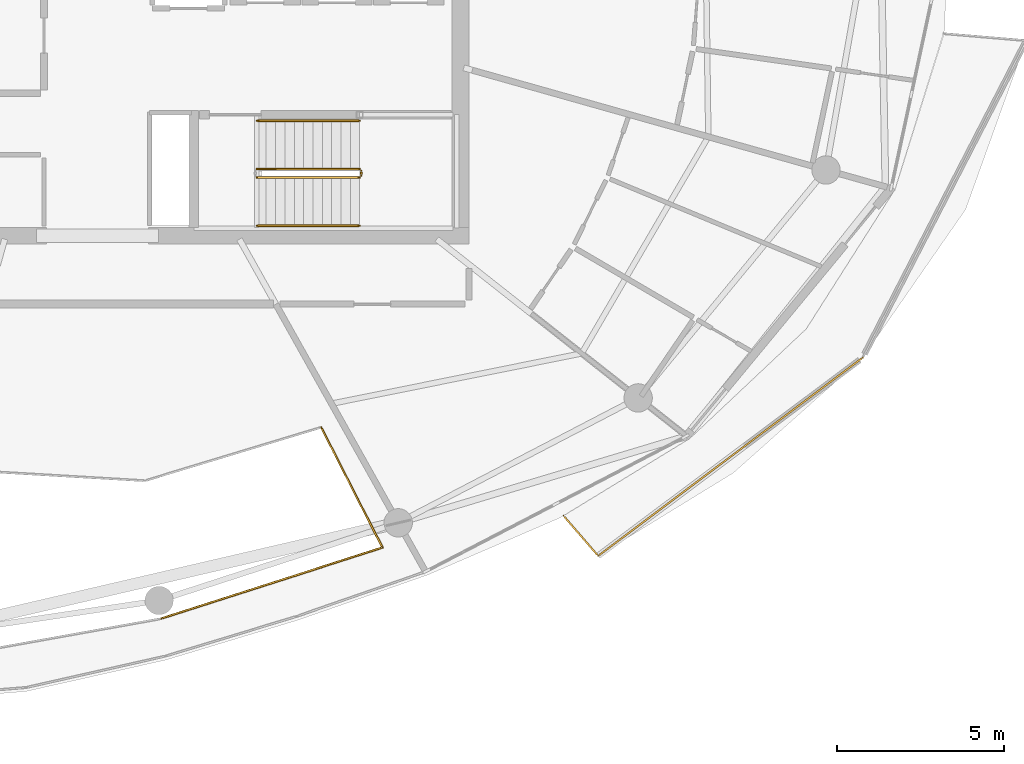
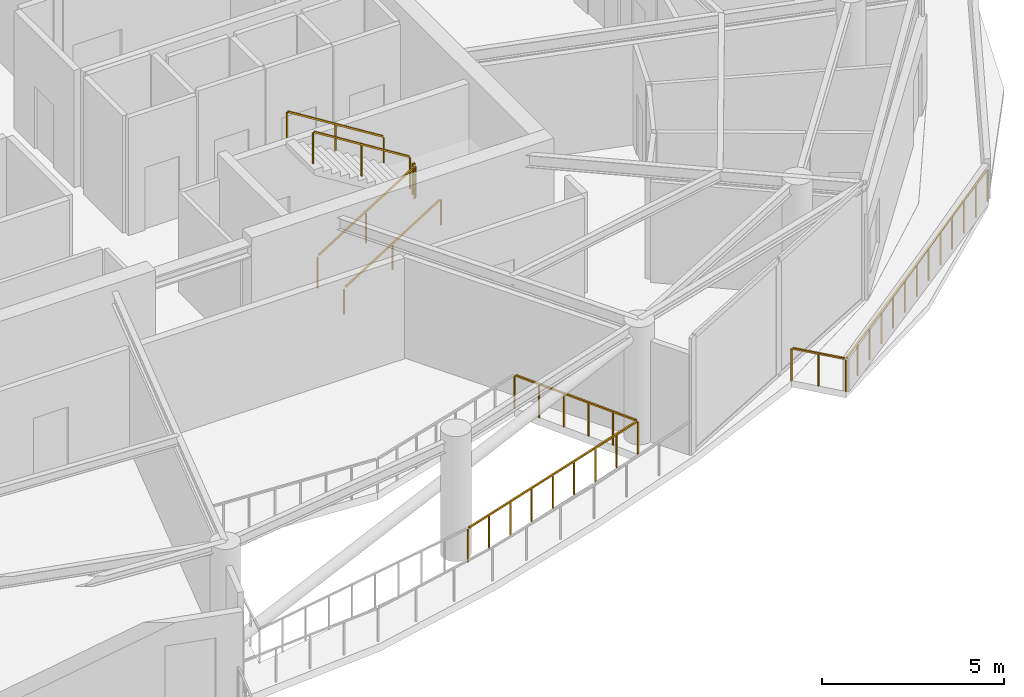
# One storey, part 20 of 22: 9 railings.
"""IFC4 building model written with IfcOpenShell, lengths in metres."""

from ifc_helpers import new_model, si_unit, direction, frame, origin, origin_2d, place, context, subcontext, project, spatial, rectangle, extrude, material, type_object, element, save


model = new_model("IFC4")

# Units and contexts
model_context = context("Model", 3, precision=1e-05, world=origin(), true_north=direction((0.0, 1.0)))
body_context = subcontext(model_context, "Body", "Model", "MODEL_VIEW")
ifc_project = project(units=[si_unit("LENGTHUNIT", "METRE"), si_unit("AREAUNIT", "SQUARE_METRE"), si_unit("VOLUMEUNIT", "CUBIC_METRE"), si_unit("PLANEANGLEUNIT", "RADIAN"), si_unit("MASSUNIT", "GRAM", prefix="KILO")], contexts=[model_context])

# Site, building, storey
site_placement = place(None, origin())
site = spatial("IfcSite", under=ifc_project, at=site_placement, CompositionType="ELEMENT")
building_placement = place(site_placement, origin())
building = spatial("IfcBuilding", under=site, at=building_placement, Name="Kazma Halo Residences", CompositionType="ELEMENT")
storey_placement = place(building_placement, frame((0.0, 0.0, 334.699951171875)))
storey = spatial("IfcBuildingStorey", under=building, at=storey_placement, Name="L84", CompositionType="ELEMENT", Elevation=334.699951171875)

# Railings
ifc_material_1 = material(Name="Aluminium AW-6063 T6 Brushed Cap Rail", Category="aluminium")
railing_type_1 = type_object("IfcRailingType", Name="RLG-BAL-CAP-1120", PredefinedType="BALUSTRADE", material=ifc_material_1)
railing_1_placement = place(storey_placement, frame((62.38818359375, 25.360595703125, 0.0)))
element("IfcRailing", 1, at=railing_1_placement, inside=storey, type_object=railing_type_1, Name="L84 SE wave balcony guard 1", PredefinedType="BALUSTRADE", context=body_context, shape_type="SweptSolid", body=[
    extrude(rectangle(XDim=0.050048828125, YDim=0.050048828125, at=origin_2d()), frame((0.02783203125, -0.0322265625, 1.09521484375), z_axis=(0.653987942312, -0.756504971107, 0.0), x_axis=(0.756504971107, 0.653987942312, 0.0)), (0.0, 0.0, 1.0), 1.50341796875),
    extrude(rectangle(XDim=0.0400390625, YDim=0.0400390625, at=origin_2d()), origin(), (0.0, 0.0, 1.0), 1.05810546875),
    extrude(rectangle(XDim=0.0400390625, YDim=0.0400390625, at=origin_2d()), frame((0.51953125, -0.600830078125, 0.0)), (0.0, 0.0, 1.0), 1.05810546875),
    extrude(rectangle(XDim=0.0400390625, YDim=0.0400390625, at=origin_2d()), frame((1.038818359375, -1.20166015625, 0.0)), (0.0, 0.0, 1.0), 1.05810546875),
])
railing_2_placement = place(storey_placement, frame((63.427001953125, 24.158935546875, 0.0)))
element("IfcRailing", 2, at=railing_2_placement, inside=storey, type_object=railing_type_1, Name="L84 SE wave balcony guard 2", PredefinedType="BALUSTRADE", context=body_context, shape_type="SweptSolid", body=[
    extrude(rectangle(XDim=0.050048828125, YDim=0.050048828125, at=origin_2d()), frame((0.033935546875, 0.025390625, 1.09521484375), z_axis=(0.800342873364, 0.599542563172, 0.0), x_axis=(-0.599542563172, 0.800342873364, 0.0)), (0.0, 0.0, 1.0), 9.82275390625),
    extrude(rectangle(XDim=0.0400390625, YDim=0.0400390625, at=origin_2d()), origin(), (0.0, 0.0, 1.0), 1.05810546875),
    extrude(rectangle(XDim=0.0400390625, YDim=0.0400390625, at=origin_2d()), frame((0.660888671875, 0.4951171875, 0.0)), (0.0, 0.0, 1.0), 1.05810546875),
    extrude(rectangle(XDim=0.0400390625, YDim=0.0400390625, at=origin_2d()), frame((1.321533203125, 0.989990234375, 0.0)), (0.0, 0.0, 1.0), 1.05810546875),
    extrude(rectangle(XDim=0.0400390625, YDim=0.0400390625, at=origin_2d()), frame((1.982421875, 1.485107421875, 0.0)), (0.0, 0.0, 1.0), 1.05810546875),
    extrude(rectangle(XDim=0.0400390625, YDim=0.0400390625, at=origin_2d()), frame((2.643310546875, 1.97998046875, 0.0)), (0.0, 0.0, 1.0), 1.05810546875),
    extrude(rectangle(XDim=0.0400390625, YDim=0.0400390625, at=origin_2d()), frame((3.303955078125, 2.47509765625, 0.0)), (0.0, 0.0, 1.0), 1.05810546875),
    extrude(rectangle(XDim=0.0400390625, YDim=0.0400390625, at=origin_2d()), frame((3.96484375, 2.97021484375, 0.0)), (0.0, 0.0, 1.0), 1.05810546875),
    extrude(rectangle(XDim=0.0400390625, YDim=0.0400390625, at=origin_2d()), frame((4.625732421875, 3.465087890625, 0.0)), (0.0, 0.0, 1.0), 1.05810546875),
    extrude(rectangle(XDim=0.0400390625, YDim=0.0400390625, at=origin_2d()), frame((5.286376953125, 3.960205078125, 0.0)), (0.0, 0.0, 1.0), 1.05810546875),
    extrude(rectangle(XDim=0.0400390625, YDim=0.0400390625, at=origin_2d()), frame((5.947265625, 4.455078125, 0.0)), (0.0, 0.0, 1.0), 1.05810546875),
    extrude(rectangle(XDim=0.0400390625, YDim=0.0400390625, at=origin_2d()), frame((6.608154296875, 4.9501953125, 0.0)), (0.0, 0.0, 1.0), 1.05810546875),
    extrude(rectangle(XDim=0.0400390625, YDim=0.0400390625, at=origin_2d()), frame((7.268798828125, 5.445068359375, 0.0)), (0.0, 0.0, 1.0), 1.05810546875),
    extrude(rectangle(XDim=0.0400390625, YDim=0.0400390625, at=origin_2d()), frame((7.9296875, 5.940185546875, 0.0)), (0.0, 0.0, 1.0), 1.05810546875),
])
ifc_material_2 = material(Name="Brushed Stainless Steel and Laminated Glass", Category="steel")
railing_type_2 = type_object("IfcRailingType", Name="RLG-EXT-GUARD-1150", PredefinedType="GUARDRAIL", material=ifc_material_2)
railing_3_placement = place(storey_placement, frame((55.127685546875, 28.01123046875, 0.0)))
element("IfcRailing", 3, at=railing_3_placement, inside=storey, type_object=railing_type_2, Name="L84 upper wind-portal edge guard 2.3", PredefinedType="GUARDRAIL", context=body_context, shape_type="SweptSolid", body=[
    extrude(rectangle(XDim=0.050048828125, YDim=0.050048828125, at=origin_2d()), frame((0.019287109375, -0.037841796875, 1.125), z_axis=(0.453986372723, -0.891008626996, 0.0), x_axis=(0.891008626996, 0.453986372723, 0.0)), (0.0, 0.0, 1.0), 3.958984375),
    extrude(rectangle(XDim=0.0400390625, YDim=0.0400390625, at=origin_2d()), origin(), (0.0, 0.0, 1.0), 1.087890625),
    extrude(rectangle(XDim=0.0400390625, YDim=0.0400390625, at=origin_2d()), frame((0.3671875, -0.720703125, 0.0)), (0.0, 0.0, 1.0), 1.087890625),
    extrude(rectangle(XDim=0.0400390625, YDim=0.0400390625, at=origin_2d()), frame((0.734375, -1.44140625, 0.0)), (0.0, 0.0, 1.0), 1.087890625),
    extrude(rectangle(XDim=0.0400390625, YDim=0.0400390625, at=origin_2d()), frame((1.1015625, -2.161865234375, 0.0)), (0.0, 0.0, 1.0), 1.087890625),
    extrude(rectangle(XDim=0.0400390625, YDim=0.0400390625, at=origin_2d()), frame((1.46875, -2.882568359375, 0.0)), (0.0, 0.0, 1.0), 1.087890625),
    extrude(rectangle(XDim=0.0400390625, YDim=0.0400390625, at=origin_2d()), frame((1.8359375, -3.603271484375, 0.0)), (0.0, 0.0, 1.0), 1.087890625),
])
railing_4_placement = place(storey_placement, frame((56.963623046875, 24.407958984375, 0.0)))
element("IfcRailing", 4, at=railing_4_placement, inside=storey, type_object=railing_type_2, Name="L84 upper wind-portal edge guard 2.4", PredefinedType="GUARDRAIL", context=body_context, shape_type="SweptSolid", body=[
    extrude(rectangle(XDim=0.050048828125, YDim=0.050048828125, at=origin_2d()), frame((-0.04052734375, -0.012939453125, 1.125), z_axis=(-0.952165276882, -0.305583516407, 0.0), x_axis=(0.305583516407, -0.952165276882, 0.0)), (0.0, 0.0, 1.0), 6.877685546875),
    extrude(rectangle(XDim=0.0400390625, YDim=0.0400390625, at=origin_2d()), origin(), (0.0, 0.0, 1.0), 1.087890625),
    extrude(rectangle(XDim=0.0400390625, YDim=0.0400390625, at=origin_2d()), frame((-0.82861328125, -0.265869140625, 0.0)), (0.0, 0.0, 1.0), 1.087890625),
    extrude(rectangle(XDim=0.0400390625, YDim=0.0400390625, at=origin_2d()), frame((-1.657470703125, -0.531982421875, 0.0)), (0.0, 0.0, 1.0), 1.087890625),
    extrude(rectangle(XDim=0.0400390625, YDim=0.0400390625, at=origin_2d()), frame((-2.486083984375, -0.7978515625, 0.0)), (0.0, 0.0, 1.0), 1.087890625),
    extrude(rectangle(XDim=0.0400390625, YDim=0.0400390625, at=origin_2d()), frame((-3.31494140625, -1.06396484375, 0.0)), (0.0, 0.0, 1.0), 1.087890625),
    extrude(rectangle(XDim=0.0400390625, YDim=0.0400390625, at=origin_2d()), frame((-4.1435546875, -1.329833984375, 0.0)), (0.0, 0.0, 1.0), 1.087890625),
    extrude(rectangle(XDim=0.0400390625, YDim=0.0400390625, at=origin_2d()), frame((-4.97216796875, -1.595703125, 0.0)), (0.0, 0.0, 1.0), 1.087890625),
    extrude(rectangle(XDim=0.0400390625, YDim=0.0400390625, at=origin_2d()), frame((-5.801025390625, -1.86181640625, 0.0)), (0.0, 0.0, 1.0), 1.087890625),
    extrude(rectangle(XDim=0.0400390625, YDim=0.0400390625, at=origin_2d()), frame((-6.629638671875, -2.127685546875, 0.0)), (0.0, 0.0, 1.0), 1.087890625),
])
ifc_material_3 = material(Name="Painted Steel S355", Category="steel")
railing_type_3 = type_object("IfcRailingType", Name="RLG-STAIR-GRD-1100", PredefinedType="GUARDRAIL", material=ifc_material_3)
railing_5_placement = place(storey_placement, frame((53.199951171875, 35.5, 0.175048828125)))
element("IfcRailing", 5, at=railing_5_placement, inside=storey, type_object=railing_type_3, Name="L84 ST-03 stair guard 1", PredefinedType="GUARDRAIL", context=body_context, shape_type="SweptSolid", body=[
    extrude(rectangle(XDim=0.050048828125, YDim=0.050048828125, at=origin_2d()), frame((0.0361328125, 0.0, 1.09765625), z_axis=(0.847998304005, 0.0, 0.529998940003), x_axis=(0.0, 1.0, 0.0)), (0.0, 0.0, 1.0), 3.547119140625),
    extrude(rectangle(XDim=0.0400390625, YDim=0.0400390625, at=origin_2d()), origin(), (0.0, 0.0, 1.0), 1.0380859375),
    extrude(rectangle(XDim=0.0400390625, YDim=0.0400390625, at=origin_2d()), frame((1.5400390625, 0.0, 0.96240234375)), (0.0, 0.0, 1.0), 1.0380859375),
    extrude(rectangle(XDim=0.0400390625, YDim=0.0400390625, at=origin_2d()), frame((3.080078125, 0.0, 1.925048828125)), (0.0, 0.0, 1.0), 1.0380859375),
])
railing_6_placement = place(storey_placement, frame((56.330078125, 35.550048828125, 2.10009765625)))
element("IfcRailing", 6, at=railing_6_placement, inside=storey, type_object=railing_type_3, Name="L84 ST-03 stair guard 2", PredefinedType="GUARDRAIL", context=body_context, shape_type="SweptSolid", body=[
    extrude(rectangle(XDim=0.050048828125, YDim=0.050048828125, at=origin_2d()), frame((0.0, 0.04248046875, 1.0751953125), z_axis=(0.0, 1.0, 0.0), x_axis=(-1.0, 0.0, 0.0)), (0.0, 0.0, 1.0), 0.06494140625),
    extrude(rectangle(XDim=0.0400390625, YDim=0.0400390625, at=origin_2d()), origin(), (0.0, 0.0, 1.0), 1.0380859375),
    extrude(rectangle(XDim=0.0400390625, YDim=0.0400390625, at=origin_2d()), frame((0.0, 0.14990234375, 0.0)), (0.0, 0.0, 1.0), 1.0380859375),
])
railing_7_placement = place(storey_placement, frame((56.280029296875, 35.75, 2.275146484375)))
element("IfcRailing", 7, at=railing_7_placement, inside=storey, type_object=railing_type_3, Name="L84 ST-03 stair guard 3", PredefinedType="GUARDRAIL", context=body_context, shape_type="SweptSolid", body=[
    extrude(rectangle(XDim=0.050048828125, YDim=0.050048828125, at=origin_2d()), frame((-0.0361328125, 0.0, 1.09765625), z_axis=(-0.848028513186, 0.0, 0.529950602248), x_axis=(0.0, -1.0, 0.0)), (0.0, 0.0, 1.0), 3.546875),
    extrude(rectangle(XDim=0.0400390625, YDim=0.0400390625, at=origin_2d()), origin(), (0.0, 0.0, 1.0), 1.0380859375),
    extrude(rectangle(XDim=0.0400390625, YDim=0.0400390625, at=origin_2d()), frame((-1.5400390625, 0.0, 0.96240234375)), (0.0, 0.0, 1.0), 1.0380859375),
    extrude(rectangle(XDim=0.0400390625, YDim=0.0400390625, at=origin_2d()), frame((-3.080078125, 0.0, 1.9248046875)), (0.0, 0.0, 1.0), 1.0380859375),
])
ifc_material_4 = material(Name="Brushed Stainless Steel", Category="steel")
railing_type_4 = type_object("IfcRailingType", Name="RLG-STAIR-HND-900", PredefinedType="HANDRAIL", material=ifc_material_4)
railing_8_placement = place(storey_placement, frame((53.199951171875, 34.050048828125, 0.175048828125)))
element("IfcRailing", 8, at=railing_8_placement, inside=storey, type_object=railing_type_4, Name="L84 ST-03 stair handrail 1", PredefinedType="HANDRAIL", context=body_context, shape_type="SweptSolid", body=[
    extrude(rectangle(XDim=0.050048828125, YDim=0.050048828125, at=origin_2d()), frame((0.0361328125, 0.0, 0.8974609375), z_axis=(0.847998304005, 0.0, 0.529998940003), x_axis=(0.0, 1.0, 0.0)), (0.0, 0.0, 1.0), 3.547119140625),
    extrude(rectangle(XDim=0.0400390625, YDim=0.0400390625, at=origin_2d()), origin(), (0.0, 0.0, 1.0), 0.837890625),
    extrude(rectangle(XDim=0.0400390625, YDim=0.0400390625, at=origin_2d()), frame((1.5400390625, 0.0, 0.96240234375)), (0.0, 0.0, 1.0), 0.837890625),
    extrude(rectangle(XDim=0.0400390625, YDim=0.0400390625, at=origin_2d()), frame((3.080078125, 0.0, 1.925048828125)), (0.0, 0.0, 1.0), 0.837890625),
])
railing_9_placement = place(storey_placement, frame((56.280029296875, 37.199951171875, 2.275146484375)))
element("IfcRailing", 9, at=railing_9_placement, inside=storey, type_object=railing_type_4, Name="L84 ST-03 stair handrail 2", PredefinedType="HANDRAIL", context=body_context, shape_type="SweptSolid", body=[
    extrude(rectangle(XDim=0.050048828125, YDim=0.050048828125, at=origin_2d()), frame((-0.0361328125, 0.0, 0.8974609375), z_axis=(-0.848028513186, 0.0, 0.529950602248), x_axis=(0.0, -1.0, 0.0)), (0.0, 0.0, 1.0), 3.546875),
    extrude(rectangle(XDim=0.0400390625, YDim=0.0400390625, at=origin_2d()), origin(), (0.0, 0.0, 1.0), 0.837890625),
    extrude(rectangle(XDim=0.0400390625, YDim=0.0400390625, at=origin_2d()), frame((-1.5400390625, 0.0, 0.96240234375)), (0.0, 0.0, 1.0), 0.837890625),
    extrude(rectangle(XDim=0.0400390625, YDim=0.0400390625, at=origin_2d()), frame((-3.080078125, 0.0, 1.9248046875)), (0.0, 0.0, 1.0), 0.837890625),
])

save(model, "model.ifc")
